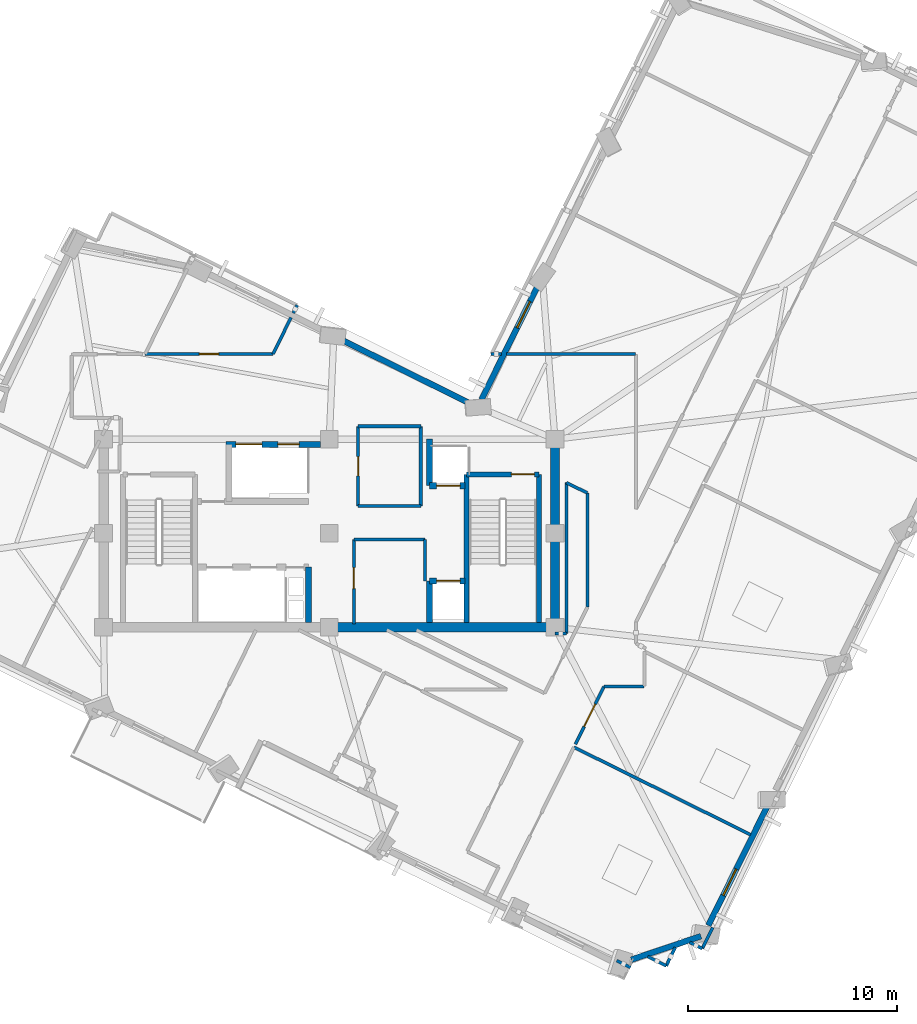
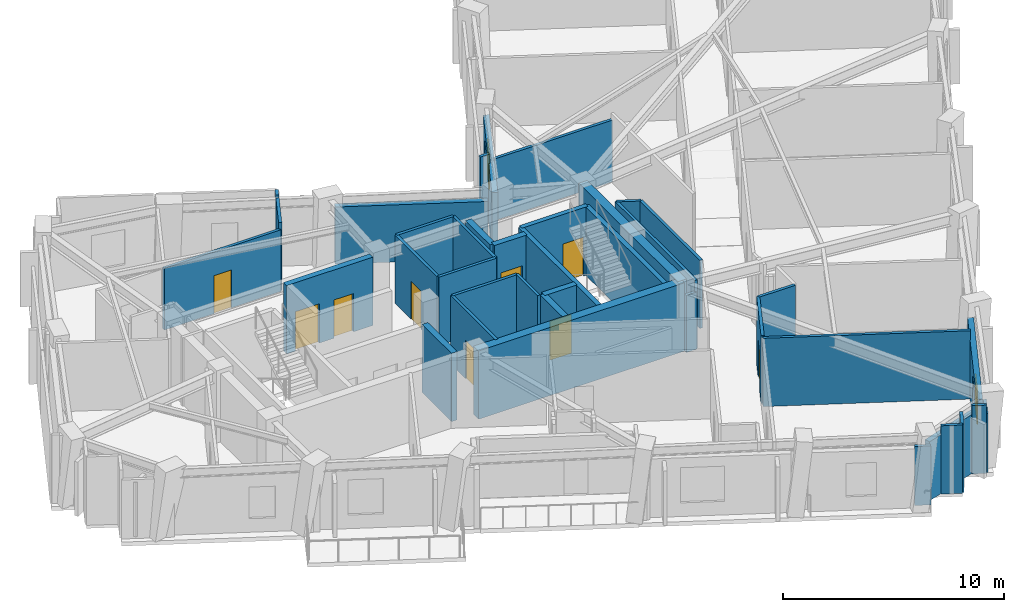
# One storey, part 5 of 11: 39 walls, 9 doors, 2 windows, 11 openings.
"""IFC4 building model written with IfcOpenShell, lengths in metres."""

from ifc_helpers import new_model, si_unit, direction, frame, frame_2d, origin, place, context, subcontext, project, spatial, rectangle, extrude, material, layer, layer_set, type_object, element, fill, save


model = new_model("IFC4")

# Units and contexts
model_context = context("Model", 3, precision=1e-05, world=origin(), true_north=direction((0.0, 1.0)))
body_context = subcontext(model_context, "Body", "Model", "MODEL_VIEW")
ifc_project = project(units=[si_unit("LENGTHUNIT", "METRE"), si_unit("AREAUNIT", "SQUARE_METRE"), si_unit("VOLUMEUNIT", "CUBIC_METRE"), si_unit("PLANEANGLEUNIT", "RADIAN"), si_unit("MASSUNIT", "GRAM", prefix="KILO")], contexts=[model_context])

# Site, building, storey
site_placement = place(None, origin())
site = spatial("IfcSite", under=ifc_project, at=site_placement, CompositionType="ELEMENT")
building_placement = place(site_placement, origin())
building = spatial("IfcBuilding", under=site, at=building_placement, Name="Gaonmaruhae Medical Tower", CompositionType="ELEMENT")
storey_placement = place(building_placement, frame((0.0, 0.0, 296.60009765625)))
storey = spatial("IfcBuildingStorey", under=building, at=storey_placement, Name="L71", CompositionType="ELEMENT", Elevation=296.60009765625)

# Walls
ifc_material_1 = material(Name="Concrete C50/60", Category="concrete")
ifc_layer_1 = layer(ifc_material_1, 0.449951171875)
ifc_layer_set_1 = layer_set([ifc_layer_1], Name="Concrete C50/60")
wall_type_1 = type_object("IfcWallType", Name="CW-450 Upper Core Shear Wall", PredefinedType="SHEAR", material=ifc_layer_set_1)
wall_1_placement = place(storey_placement, frame((24.800048828125, 7.800048828125, 0.0), z_axis=(0.0, 0.0, 1.0), x_axis=(1.0, 0.0, 0.0)))
element("IfcWall", 1, at=wall_1_placement, inside=storey, type_object=wall_type_1, Name="L71 Core Shear Wall CSW-S2", PredefinedType="SHEAR", context=body_context, shape_type="SweptSolid", body=[
    extrude(rectangle(XDim=10.800048828125, YDim=0.449951171875, at=frame_2d((5.39990234375, 0.0))), origin(), (0.0, 0.0, 1.0), 3.77978515625),
])
wall_2_placement = place(storey_placement, frame((35.60009765625, 7.800048828125, 0.0), z_axis=(0.0, 0.0, 1.0), x_axis=(0.0, 1.0, 0.0)))
element("IfcWall", 2, at=wall_2_placement, inside=storey, type_object=wall_type_1, Name="L71 Core Shear Wall CSW-E1", PredefinedType="SHEAR", context=body_context, shape_type="SweptSolid", body=[
    extrude(rectangle(XDim=9.0, YDim=0.449951171875, at=frame_2d((4.5, 0.0))), origin(), (0.0, 0.0, 1.0), 3.77978515625),
])

# Wall, opening, window
ifc_material_2 = material(Name="Precast concrete C45/55", Category="concrete")
ifc_layer_2 = layer(ifc_material_2, 0.280029296875)
ifc_layer_set_2 = layer_set([ifc_layer_2], Name="Precast concrete C45/55")
wall_type_2 = type_object("IfcWallType", Name="EW-280 Upper Precast Masonry-Frame Facade Wall", PredefinedType="SOLIDWALL", material=ifc_layer_set_2)
wall_3_placement = place(storey_placement, frame((45.8212890625, -0.655517578125, 0.0), z_axis=(0.0, 0.0, 1.0), x_axis=(-0.443852091484, -0.896100061871, 0.0)))
wall_3 = element("IfcWall", 3, at=wall_3_placement, inside=storey, type_object=wall_type_2, Name="L71 Precast Masonry-Frame Wall S01-S02", PredefinedType="SOLIDWALL", context=body_context, shape_type="SweptSolid", body=[
    extrude(rectangle(XDim=6.484619140625, YDim=0.280029296875, at=frame_2d((3.2421875, 0.0))), origin(), (0.0, 0.0, 1.0), 3.264892578125),
])
opening_1_placement = place(wall_3_placement, frame((3.4814453125, 0.0, 0.75)))
opening_1 = element("IfcOpeningElement", 4, at=opening_1_placement, cuts=wall_3, Name="Opening WN-03", PredefinedType="OPENING", context=body_context, shape_type="SweptSolid", body=[
    extrude(rectangle(XDim=1.39990234375, YDim=1.85009765625, at=frame_2d((0.699951171875, 0.925048828125))), frame((0.0, 0.14990234375, 0.0), z_axis=(0.0, -1.0, 0.0), x_axis=(1.0, 0.0, 0.0)), (0.0, 0.0, 1.0), 0.300048828125),
])
ifc_material_3 = material(Name="Anodised aluminium and Low-E double glazing", Category="aluminium")
window_type = type_object("IfcWindowType", Name="WN-03 Isolation Ward Punched Window 1400x1850", PartitioningType="SINGLE_PANEL", PredefinedType="WINDOW", material=ifc_material_3)
window_1_placement = place(opening_1_placement, origin())
window_1 = element("IfcWindow", 5, at=window_1_placement, inside=storey, type_object=window_type, Name="L71 Modular Facade Window S01", OverallHeight=1.85009765625, OverallWidth=1.39990234375, PartitioningType="SINGLE_PANEL", PredefinedType="WINDOW", context=body_context, shape_type="SweptSolid", body=[
    extrude(rectangle(XDim=1.39990234375, YDim=1.85009765625, at=frame_2d((0.699951171875, 0.925048828125))), frame((0.0, 0.030029296875, 0.0), z_axis=(0.0, -1.0, 0.0), x_axis=(1.0, 0.0, 0.0)), (0.0, 0.0, 1.0), 0.06005859375),
])
fill(opening_1, window_1)

wall_4_placement = place(storey_placement, frame((32.08251953125, 18.694580078125, 0.0), z_axis=(0.0, 0.0, 1.0), x_axis=(0.443864435555, 0.896093947558, 0.0)))
wall_4 = element("IfcWall", 6, at=wall_4_placement, inside=storey, type_object=wall_type_2, Name="L71 Precast Masonry-Frame Wall EN02-KN01", PredefinedType="SOLIDWALL", context=body_context, shape_type="SweptSolid", body=[
    extrude(rectangle(XDim=6.158203125, YDim=0.280029296875, at=frame_2d((3.0791015625, 0.0))), origin(), (0.0, 0.0, 1.0), 3.264892578125),
])
opening_2_placement = place(wall_4_placement, frame((3.839599609375, 0.0, 0.75)))
opening_2 = element("IfcOpeningElement", 7, at=opening_2_placement, cuts=wall_4, Name="Opening WN-03", PredefinedType="OPENING", context=body_context, shape_type="SweptSolid", body=[
    extrude(rectangle(XDim=1.39990234375, YDim=1.85009765625, at=frame_2d((0.699951171875, 0.925048828125))), frame((0.0, 0.14990234375, 0.0), z_axis=(0.0, -1.0, 0.0), x_axis=(1.0, 0.0, 0.0)), (0.0, 0.0, 1.0), 0.300048828125),
])
window_2_placement = place(opening_2_placement, origin())
window_2 = element("IfcWindow", 8, at=window_2_placement, inside=storey, type_object=window_type, Name="L71 Modular Facade Window EN02", OverallHeight=1.85009765625, OverallWidth=1.39990234375, PartitioningType="SINGLE_PANEL", PredefinedType="WINDOW", context=body_context, shape_type="SweptSolid", body=[
    extrude(rectangle(XDim=1.39990234375, YDim=1.85009765625, at=frame_2d((0.699951171875, 0.925048828125))), frame((0.0, 0.030029296875, 0.0), z_axis=(0.0, -1.0, 0.0), x_axis=(1.0, 0.0, 0.0)), (0.0, 0.0, 1.0), 0.06005859375),
])
fill(opening_2, window_2)

# Walls
wall_5_placement = place(storey_placement, frame((25.35986328125, 21.572021484375, 0.0), z_axis=(0.0, 0.0, 1.0), x_axis=(0.896098080612, -0.443856091458, 0.0)))
element("IfcWall", 9, at=wall_5_placement, inside=storey, type_object=wall_type_2, Name="L71 Precast Masonry-Frame Wall KN01-NE01", PredefinedType="SOLIDWALL", context=body_context, shape_type="SweptSolid", body=[
    extrude(rectangle(XDim=6.9580078125, YDim=0.280029296875, at=frame_2d((3.47900390625, 0.0))), origin(), (0.0, 0.0, 1.0), 3.164794921875),
])
wall_6_placement = place(storey_placement, frame((42.5908203125, -6.980224609375, 0.0), z_axis=(0.0, 0.0, 1.0), x_axis=(-0.947483874794, -0.31980354439, 0.0)))
element("IfcWall", 10, at=wall_6_placement, inside=storey, type_object=wall_type_2, Name="L71 Precast Masonry-Frame Wall W06-S01", PredefinedType="SOLIDWALL", context=body_context, shape_type="SweptSolid", body=[
    extrude(rectangle(XDim=3.520751953125, YDim=0.280029296875, at=frame_2d((1.76025390625, 0.0))), origin(), (0.0, 0.0, 1.0), 3.264892578125),
])

# Wall, opening, door
ifc_material_4 = material(Name="Gypsum board partition", Category="gypsum")
ifc_layer_3 = layer(ifc_material_4, 0.14990234375)
ifc_layer_set_3 = layer_set([ifc_layer_3], Name="Gypsum board partition")
wall_type_3 = type_object("IfcWallType", Name="PW-150 Rated Clinical Corridor Partition", PredefinedType="PARTITIONING", material=ifc_layer_set_3)
wall_7_placement = place(storey_placement, frame((25.97998046875, 7.9599609375, 0.0), z_axis=(0.0, 0.0, 1.0), x_axis=(0.0, 1.0, 0.0)))
wall_7 = element("IfcWall", 11, at=wall_7_placement, inside=storey, type_object=wall_type_3, Name="L71 Interior Partition L71-RCL1-1", PredefinedType="PARTITIONING", context=body_context, shape_type="SweptSolid", body=[
    extrude(rectangle(XDim=4.0400390625, YDim=0.14990234375, at=frame_2d((2.02001953125, 0.0))), origin(), (0.0, 0.0, 1.0), 3.77978515625),
])
opening_3_placement = place(wall_7_placement, frame((1.695068359375, 0.0, 0.0)))
opening_3 = element("IfcOpeningElement", 12, at=opening_3_placement, cuts=wall_7, Name="Opening CD-01", PredefinedType="OPENING", context=body_context, shape_type="SweptSolid", body=[
    extrude(rectangle(XDim=1.0, YDim=2.1201171875, at=frame_2d((0.5, 1.06005859375))), frame((0.0, 0.0849609375, 0.0), z_axis=(0.0, -1.0, 0.0), x_axis=(1.0, 0.0, 0.0)), (0.0, 0.0, 1.0), 0.169921875),
])
ifc_material_5 = material(Name="Antimicrobial laminate timber fire door", Category="wood")
door_type_1 = type_object("IfcDoorType", Name="CD-01 Consultation & Physician Office Door 1000x2120", OperationType="NOTDEFINED", PredefinedType="DOOR", material=ifc_material_5)
door_1_placement = place(opening_3_placement, origin())
door_1 = element("IfcDoor", 13, at=door_1_placement, inside=storey, type_object=door_type_1, Name="L71 Clinical Telemetry and Medication Room Door", OperationType="SINGLE_SWING_RIGHT", OverallHeight=2.1201171875, OverallWidth=1.0, PredefinedType="DOOR", context=body_context, shape_type="SweptSolid", body=[
    extrude(rectangle(XDim=1.0, YDim=2.1201171875, at=frame_2d((0.5, 1.06005859375))), frame((0.0, 0.02490234375, 0.0), z_axis=(0.0, -1.0, 0.0), x_axis=(1.0, 0.0, 0.0)), (0.0, 0.0, 1.0), 0.050048828125),
])
fill(opening_3, door_1)

# Walls
wall_8_placement = place(storey_placement, frame((25.97998046875, 12.0, 0.0), z_axis=(0.0, 0.0, 1.0), x_axis=(1.0, 0.0, 0.0)))
element("IfcWall", 14, at=wall_8_placement, inside=storey, type_object=wall_type_3, Name="L71 Interior Partition L71-RCL1-2", PredefinedType="PARTITIONING", context=body_context, shape_type="SweptSolid", body=[
    extrude(rectangle(XDim=3.39990234375, YDim=0.14990234375, at=frame_2d((1.699951171875, 0.0))), origin(), (0.0, 0.0, 1.0), 3.77978515625),
])
wall_9_placement = place(storey_placement, frame((29.3798828125, 12.0, 0.0), z_axis=(0.0, 0.0, 1.0), x_axis=(0.0, -1.0, 0.0)))
element("IfcWall", 15, at=wall_9_placement, inside=storey, type_object=wall_type_3, Name="L71 Interior Partition L71-RCL1-3", PredefinedType="PARTITIONING", context=body_context, shape_type="SweptSolid", body=[
    extrude(rectangle(XDim=1.97998046875, YDim=0.14990234375, at=frame_2d((0.989990234375, 0.0))), origin(), (0.0, 0.0, 1.0), 3.77978515625),
])

# Wall, opening, door
wall_10_placement = place(storey_placement, frame((26.179931640625, 13.60009765625, 0.0), z_axis=(0.0, 0.0, 1.0), x_axis=(0.0, 1.0, 0.0)))
wall_10 = element("IfcWall", 16, at=wall_10_placement, inside=storey, type_object=wall_type_3, Name="L71 Interior Partition L71-RCL2-4", PredefinedType="PARTITIONING", context=body_context, shape_type="SweptSolid", body=[
    extrude(rectangle(XDim=3.81982421875, YDim=0.14990234375, at=frame_2d((1.909912109375, 0.0))), origin(), (0.0, 0.0, 1.0), 3.77978515625),
])
opening_4_placement = place(wall_10_placement, frame((1.449951171875, 0.0, 0.0)))
opening_4 = element("IfcOpeningElement", 17, at=opening_4_placement, cuts=wall_10, Name="Opening UD-01", PredefinedType="OPENING", context=body_context, shape_type="SweptSolid", body=[
    extrude(rectangle(XDim=0.919921875, YDim=2.10009765625, at=frame_2d((0.4599609375, 1.050048828125))), frame((0.0, 0.0849609375, 0.0), z_axis=(0.0, -1.0, 0.0), x_axis=(1.0, 0.0, 0.0)), (0.0, 0.0, 1.0), 0.169921875),
])
ifc_material_6 = material(Name="Powder-coated steel utility door", Category="steel")
door_type_2 = type_object("IfcDoorType", Name="UD-01 Toilet, Utility & Housekeeping Door 920x2100", OperationType="NOTDEFINED", PredefinedType="DOOR", material=ifc_material_6)
door_2_placement = place(opening_4_placement, origin())
door_2 = element("IfcDoor", 18, at=door_2_placement, inside=storey, type_object=door_type_2, Name="L71 Accessible Staff Toilet Door", OperationType="SINGLE_SWING_LEFT", OverallHeight=2.10009765625, OverallWidth=0.919921875, PredefinedType="DOOR", context=body_context, shape_type="SweptSolid", body=[
    extrude(rectangle(XDim=0.919921875, YDim=2.10009765625, at=frame_2d((0.4599609375, 1.050048828125))), frame((0.0, 0.02490234375, 0.0), z_axis=(0.0, -1.0, 0.0), x_axis=(1.0, 0.0, 0.0)), (0.0, 0.0, 1.0), 0.050048828125),
])
fill(opening_4, door_2)

# Walls
wall_11_placement = place(storey_placement, frame((26.179931640625, 17.419921875, 0.0), z_axis=(0.0, 0.0, 1.0), x_axis=(1.0, 0.0, 0.0)))
element("IfcWall", 19, at=wall_11_placement, inside=storey, type_object=wall_type_3, Name="L71 Interior Partition L71-RCL2-5", PredefinedType="PARTITIONING", context=body_context, shape_type="SweptSolid", body=[
    extrude(rectangle(XDim=3.0, YDim=0.14990234375, at=frame_2d((1.5, 0.0))), origin(), (0.0, 0.0, 1.0), 3.77978515625),
])
wall_12_placement = place(storey_placement, frame((29.179931640625, 17.419921875, 0.0), z_axis=(0.0, 0.0, 1.0), x_axis=(0.0, -1.0, 0.0)))
element("IfcWall", 20, at=wall_12_placement, inside=storey, type_object=wall_type_3, Name="L71 Interior Partition L71-RCL2-6", PredefinedType="PARTITIONING", context=body_context, shape_type="SweptSolid", body=[
    extrude(rectangle(XDim=3.81982421875, YDim=0.14990234375, at=frame_2d((1.909912109375, 0.0))), origin(), (0.0, 0.0, 1.0), 3.77978515625),
])
wall_13_placement = place(storey_placement, frame((29.179931640625, 13.60009765625, 0.0), z_axis=(0.0, 0.0, 1.0), x_axis=(-1.0, 0.0, 0.0)))
element("IfcWall", 21, at=wall_13_placement, inside=storey, type_object=wall_type_3, Name="L71 Interior Partition L71-RCL2-7", PredefinedType="PARTITIONING", context=body_context, shape_type="SweptSolid", body=[
    extrude(rectangle(XDim=3.0, YDim=0.14990234375, at=frame_2d((1.5, 0.0))), origin(), (0.0, 0.0, 1.0), 3.77978515625),
])
wall_14_placement = place(storey_placement, frame((40.925048828125, -8.40087890625, 0.0), z_axis=(0.0, 0.0, 1.0), x_axis=(-0.895855966425, 0.444344559347, 0.0)))
element("IfcWall", 22, at=wall_14_placement, inside=storey, type_object=wall_type_3, Name="L71 Interior Partition L71-SUP01-8", PredefinedType="PARTITIONING", context=body_context, shape_type="SweptSolid", body=[
    extrude(rectangle(XDim=0.98779296875, YDim=0.14990234375, at=frame_2d((0.493896484375, 0.0))), origin(), (0.0, 0.0, 1.0), 3.77978515625),
])
wall_15_placement = place(storey_placement, frame((39.214111328125, -8.47412109375, 0.0), z_axis=(0.0, 0.0, 1.0), x_axis=(-0.896012088041, 0.444029659014, 0.0)))
element("IfcWall", 23, at=wall_15_placement, inside=storey, type_object=wall_type_3, Name="L71 Interior Partition L71-SUP01-9", PredefinedType="PARTITIONING", context=body_context, shape_type="SweptSolid", body=[
    extrude(rectangle(XDim=0.73681640625, YDim=0.14990234375, at=frame_2d((0.368408203125, 0.0))), origin(), (0.0, 0.0, 1.0), 3.264892578125),
])
wall_16_placement = place(storey_placement, frame((36.510009765625, 2.06103515625, 0.0), z_axis=(0.0, 0.0, 1.0), x_axis=(0.896077201475, -0.443898241715, 0.0)))
element("IfcWall", 24, at=wall_16_placement, inside=storey, type_object=wall_type_3, Name="L71 Interior Partition L71-SUP01-12", PredefinedType="PARTITIONING", context=body_context, shape_type="SweptSolid", body=[
    extrude(rectangle(XDim=9.4345703125, YDim=0.14990234375, at=frame_2d((4.71728515625, 0.0))), origin(), (0.0, 0.0, 1.0), 3.77978515625),
])
wall_17_placement = place(storey_placement, frame((43.14892578125, -6.568115234375, 0.0), z_axis=(0.0, 0.0, 1.0), x_axis=(-0.443664226759, -0.896193089627, 0.0)))
element("IfcWall", 25, at=wall_17_placement, inside=storey, type_object=wall_type_3, Name="L71 Interior Partition L71-SUP01-13", PredefinedType="PARTITIONING", context=body_context, shape_type="SweptSolid", body=[
    extrude(rectangle(XDim=1.129150390625, YDim=0.14990234375, at=frame_2d((0.564453125, 0.0))), origin(), (0.0, 0.0, 1.0), 3.264892578125),
])
wall_18_placement = place(storey_placement, frame((42.64794921875, -7.580078125, 0.0), z_axis=(0.0, 0.0, 1.0), x_axis=(-0.896104024107, 0.443844091973, 0.0)))
element("IfcWall", 26, at=wall_18_placement, inside=storey, type_object=wall_type_3, Name="L71 Interior Partition L71-SUP01-14", PredefinedType="PARTITIONING", context=body_context, shape_type="SweptSolid", body=[
    extrude(rectangle(XDim=0.667236328125, YDim=0.14990234375, at=frame_2d((0.33349609375, 0.0))), origin(), (0.0, 0.0, 1.0), 3.77978515625),
])
wall_19_placement = place(storey_placement, frame((41.364013671875, -7.51611328125, 0.0), z_axis=(0.0, 0.0, 1.0), x_axis=(-0.444442954241, -0.895807155824, 0.0)))
element("IfcWall", 27, at=wall_19_placement, inside=storey, type_object=wall_type_3, Name="L71 Interior Partition L71-SUP01-15", PredefinedType="PARTITIONING", context=body_context, shape_type="SweptSolid", body=[
    extrude(rectangle(XDim=0.98779296875, YDim=0.14990234375, at=frame_2d((0.493896484375, 0.0))), origin(), (0.0, 0.0, 1.0), 3.77978515625),
])

# Wall, opening, door
wall_20_placement = place(storey_placement, frame((36.5810546875, 2.2041015625, 0.0), z_axis=(0.0, 0.0, 1.0), x_axis=(0.443570825346, 0.896239322336, 0.0)))
wall_20 = element("IfcWall", 28, at=wall_20_placement, inside=storey, type_object=wall_type_3, Name="L71 Interior Partition L71-SUP02-19", PredefinedType="PARTITIONING", context=body_context, shape_type="SweptSolid", body=[
    extrude(rectangle(XDim=3.086181640625, YDim=0.14990234375, at=frame_2d((1.54296875, 0.0))), origin(), (0.0, 0.0, 1.0), 3.77978515625),
])
opening_5_placement = place(wall_20_placement, frame((0.943115234375, 0.0, 0.0)))
opening_5 = element("IfcOpeningElement", 29, at=opening_5_placement, cuts=wall_20, Name="Opening CD-02", PredefinedType="OPENING", context=body_context, shape_type="SweptSolid", body=[
    extrude(rectangle(XDim=1.199951171875, YDim=2.14990234375, at=frame_2d((0.60009765625, 1.074951171875))), frame((0.0, 0.0849609375, 0.0), z_axis=(0.0, -1.0, 0.0), x_axis=(1.0, 0.0, 0.0)), (0.0, 0.0, 1.0), 0.169921875),
])
door_type_3 = type_object("IfcDoorType", Name="CD-02 Clinical Treatment & Procedure Door 1200x2150", OperationType="NOTDEFINED", PredefinedType="DOOR", material=ifc_material_5)
door_3_placement = place(opening_5_placement, origin())
door_3 = element("IfcDoor", 30, at=door_3_placement, inside=storey, type_object=door_type_3, Name="L71 Clinical Biomedical Charting Office Door", OperationType="SINGLE_SWING_RIGHT", OverallHeight=2.14990234375, OverallWidth=1.199951171875, PredefinedType="DOOR", context=body_context, shape_type="SweptSolid", body=[
    extrude(rectangle(XDim=1.199951171875, YDim=2.14990234375, at=frame_2d((0.60009765625, 1.074951171875))), frame((0.0, 0.02490234375, 0.0), z_axis=(0.0, -1.0, 0.0), x_axis=(1.0, 0.0, 0.0)), (0.0, 0.0, 1.0), 0.050048828125),
])
fill(opening_5, door_3)

# Walls
wall_21_placement = place(storey_placement, frame((37.949951171875, 4.969970703125, 0.0), z_axis=(0.0, 0.0, 1.0), x_axis=(1.0, 0.0, 0.0)))
element("IfcWall", 31, at=wall_21_placement, inside=storey, type_object=wall_type_3, Name="L71 Interior Partition L71-SUP02-20", PredefinedType="PARTITIONING", context=body_context, shape_type="SweptSolid", body=[
    extrude(rectangle(XDim=1.903076171875, YDim=0.14990234375, at=frame_2d((0.95166015625, 0.0))), origin(), (0.0, 0.0, 1.0), 3.77978515625),
])
wall_22_placement = place(storey_placement, frame((35.60009765625, 7.5, 0.0), z_axis=(0.0, 0.0, 1.0), x_axis=(1.0, 0.0, 0.0)))
element("IfcWall", 32, at=wall_22_placement, inside=storey, type_object=wall_type_3, Name="L71 Interior Partition L71-IE01-58", PredefinedType="PARTITIONING", context=body_context, shape_type="SweptSolid", body=[
    extrude(rectangle(XDim=0.5498046875, YDim=0.14990234375, at=frame_2d((0.27490234375, 0.0))), origin(), (0.0, 0.0, 1.0), 3.164794921875),
])
wall_23_placement = place(storey_placement, frame((36.14990234375, 7.5, 0.0), z_axis=(0.0, 0.0, 1.0), x_axis=(0.0, 1.0, 0.0)))
element("IfcWall", 33, at=wall_23_placement, inside=storey, type_object=wall_type_3, Name="L71 Interior Partition L71-IE01-59", PredefinedType="PARTITIONING", context=body_context, shape_type="SweptSolid", body=[
    extrude(rectangle(XDim=7.221923828125, YDim=0.14990234375, at=frame_2d((3.61083984375, 0.0))), origin(), (0.0, 0.0, 1.0), 3.77978515625),
])
wall_24_placement = place(storey_placement, frame((36.14990234375, 14.721923828125, 0.0), z_axis=(0.0, 0.0, 1.0), x_axis=(0.896257665166, -0.443533761546, 0.0)))
element("IfcWall", 34, at=wall_24_placement, inside=storey, type_object=wall_type_3, Name="L71 Interior Partition L71-IE01-60", PredefinedType="PARTITIONING", context=body_context, shape_type="SweptSolid", body=[
    extrude(rectangle(XDim=1.11572265625, YDim=0.14990234375, at=frame_2d((0.557861328125, 0.0))), origin(), (0.0, 0.0, 1.0), 3.77978515625),
])
wall_25_placement = place(storey_placement, frame((37.14990234375, 14.22705078125, 0.0), z_axis=(0.0, 0.0, 1.0), x_axis=(0.0, -1.0, 0.0)))
element("IfcWall", 35, at=wall_25_placement, inside=storey, type_object=wall_type_3, Name="L71 Interior Partition L71-IE01-61", PredefinedType="PARTITIONING", context=body_context, shape_type="SweptSolid", body=[
    extrude(rectangle(XDim=5.466064453125, YDim=0.14990234375, at=frame_2d((2.73291015625, 0.0))), origin(), (0.0, 0.0, 1.0), 3.77978515625),
])
wall_26_placement = place(storey_placement, frame((39.449951171875, 20.8798828125, 0.0), z_axis=(0.0, 0.0, 1.0), x_axis=(-1.0, 0.0, 0.0)))
element("IfcWall", 36, at=wall_26_placement, inside=storey, type_object=wall_type_3, Name="L71 Interior Partition L71-IE02-64", PredefinedType="PARTITIONING", context=body_context, shape_type="SweptSolid", body=[
    extrude(rectangle(XDim=6.156982421875, YDim=0.14990234375, at=frame_2d((3.07861328125, 0.0))), origin(), (0.0, 0.0, 1.0), 3.414794921875),
])
wall_27_placement = place(storey_placement, frame((33.037109375, 20.8798828125, 0.0), z_axis=(0.0, 0.0, 1.0), x_axis=(-1.0, 0.0, 0.0)))
element("IfcWall", 37, at=wall_27_placement, inside=storey, type_object=wall_type_3, Name="L71 Interior Partition L71-IE02-65", PredefinedType="PARTITIONING", context=body_context, shape_type="SweptSolid", body=[
    extrude(rectangle(XDim=0.486083984375, YDim=0.14990234375, at=frame_2d((0.2431640625, 0.0))), origin(), (0.0, 0.0, 1.0), 3.77978515625),
])
wall_28_placement = place(storey_placement, frame((23.26611328125, 23.222900390625, 0.0), z_axis=(0.0, 0.0, 1.0), x_axis=(-0.443843724004, -0.896104206364, 0.0)))
element("IfcWall", 38, at=wall_28_placement, inside=storey, type_object=wall_type_3, Name="L71 Interior Partition L71-IN02-83", PredefinedType="PARTITIONING", context=body_context, shape_type="SweptSolid", body=[
    extrude(rectangle(XDim=0.43505859375, YDim=0.14990234375, at=frame_2d((0.217529296875, 0.0))), origin(), (0.0, 0.0, 1.0), 3.77978515625),
])
wall_29_placement = place(storey_placement, frame((22.970947265625, 22.626953125, 0.0), z_axis=(0.0, 0.0, 1.0), x_axis=(-0.443703610253, -0.896173591582, 0.0)))
element("IfcWall", 39, at=wall_29_placement, inside=storey, type_object=wall_type_3, Name="L71 Interior Partition L71-IN02-84", PredefinedType="PARTITIONING", context=body_context, shape_type="SweptSolid", body=[
    extrude(rectangle(XDim=1.949462890625, YDim=0.14990234375, at=frame_2d((0.974609375, 0.0))), origin(), (0.0, 0.0, 1.0), 3.77978515625),
])

# Wall, opening, door
wall_30_placement = place(storey_placement, frame((22.10595703125, 20.8798828125, 0.0), z_axis=(0.0, 0.0, 1.0), x_axis=(-1.0, 0.0, 0.0)))
wall_30 = element("IfcWall", 40, at=wall_30_placement, inside=storey, type_object=wall_type_3, Name="L71 Interior Partition L71-IN02-85", PredefinedType="PARTITIONING", context=body_context, shape_type="SweptSolid", body=[
    extrude(rectangle(XDim=6.115966796875, YDim=0.14990234375, at=frame_2d((3.05810546875, 0.0))), origin(), (0.0, 0.0, 1.0), 3.414794921875),
])
opening_6_placement = place(wall_30_placement, frame((2.597900390625, 0.0, 0.0)))
opening_6 = element("IfcOpeningElement", 41, at=opening_6_placement, cuts=wall_30, Name="Opening UD-01", PredefinedType="OPENING", context=body_context, shape_type="SweptSolid", body=[
    extrude(rectangle(XDim=0.919921875, YDim=2.10009765625, at=frame_2d((0.4599609375, 1.050048828125))), frame((0.0, 0.0849609375, 0.0), z_axis=(0.0, -1.0, 0.0), x_axis=(1.0, 0.0, 0.0)), (0.0, 0.0, 1.0), 0.169921875),
])
door_4_placement = place(opening_6_placement, origin())
door_4 = element("IfcDoor", 42, at=door_4_placement, inside=storey, type_object=door_type_2, Name="L71 Ward Nutrition Pantry Door", OperationType="SINGLE_SWING_RIGHT", OverallHeight=2.10009765625, OverallWidth=0.919921875, PredefinedType="DOOR", context=body_context, shape_type="SweptSolid", body=[
    extrude(rectangle(XDim=0.919921875, YDim=2.10009765625, at=frame_2d((0.4599609375, 1.050048828125))), frame((0.0, 0.02490234375, 0.0), z_axis=(0.0, -1.0, 0.0), x_axis=(1.0, 0.0, 0.0)), (0.0, 0.0, 1.0), 0.050048828125),
])
fill(opening_6, door_4)

ifc_layer_4 = layer(ifc_material_1, 0.239990234375)
ifc_layer_set_4 = layer_set([ifc_layer_4], Name="Concrete C50/60")
wall_type_4 = type_object("IfcWallType", Name="SW-240 Dogleg Stair Tight Shaft Wall", PredefinedType="SOLIDWALL", material=ifc_layer_set_4)
wall_31_placement = place(storey_placement, frame((31.3701171875, 15.1201171875, 0.0), z_axis=(0.0, 0.0, 1.0), x_axis=(1.0, 0.0, 0.0)))
wall_31 = element("IfcWall", 43, at=wall_31_placement, inside=storey, type_object=wall_type_4, Name="L71 ST-02 Stair Shaft Wall SHW-ST-02-N", PredefinedType="SOLIDWALL", context=body_context, shape_type="SweptSolid", body=[
    extrude(rectangle(XDim=3.4599609375, YDim=0.239990234375, at=frame_2d((1.72998046875, 0.0))), origin(), (0.0, 0.0, 1.0), 3.77978515625),
])
opening_7_placement = place(wall_31_placement, frame((2.139892578125, 0.0, 0.0)))
opening_7 = element("IfcOpeningElement", 44, at=opening_7_placement, cuts=wall_31, Name="Opening FD-01", PredefinedType="OPENING", context=body_context, shape_type="SweptSolid", body=[
    extrude(rectangle(XDim=1.10009765625, YDim=2.14990234375, at=frame_2d((0.550048828125, 1.074951171875))), frame((0.0, 0.1298828125, 0.0), z_axis=(0.0, -1.0, 0.0), x_axis=(1.0, 0.0, 0.0)), (0.0, 0.0, 1.0), 0.260009765625),
])
ifc_material_7 = material(Name="Powder-coated steel fire door", Category="steel")
door_type_4 = type_object("IfcDoorType", Name="FD-01 Escape Stair Protected Fire Door 1100x2150", OperationType="NOTDEFINED", PredefinedType="DOOR", material=ifc_material_7)
door_5_placement = place(opening_7_placement, origin())
door_5 = element("IfcDoor", 45, at=door_5_placement, inside=storey, type_object=door_type_4, Name="L71 ST-02 Protected Escape Stair Door", OperationType="SINGLE_SWING_LEFT", OverallHeight=2.14990234375, OverallWidth=1.10009765625, PredefinedType="DOOR", context=body_context, shape_type="SweptSolid", body=[
    extrude(rectangle(XDim=1.10009765625, YDim=2.14990234375, at=frame_2d((0.550048828125, 1.074951171875))), frame((0.0, 0.02490234375, 0.0), z_axis=(0.0, -1.0, 0.0), x_axis=(1.0, 0.0, 0.0)), (0.0, 0.0, 1.0), 0.050048828125),
])
fill(opening_7, door_5)

# Walls
for number, where, z_axis, x_axis, name in (
    (46, (34.830078125, 15.1201171875, 0.0), (0.0, 0.0, 1.0), (0.0, -1.0, 0.0), "L71 ST-02 Stair Shaft Wall SHW-ST-02-E"),
    (47, (31.3701171875, 8.02490234375, 0.0), (0.0, 0.0, 1.0), (0.0, 1.0, 0.0), "L71 ST-02 Stair Shaft Wall SHW-ST-02-W"),
):
    element("IfcWall", number, at=place(storey_placement, frame(where, z_axis=z_axis, x_axis=x_axis)), inside=storey, type_object=wall_type_4, Name=name, PredefinedType="SOLIDWALL", context=body_context, shape_type="SweptSolid", body=[
        extrude(rectangle(XDim=7.09521484375, YDim=0.239990234375, at=frame_2d((3.547607421875, 0.0))), origin(), (0.0, 0.0, 1.0), 3.77978515625),
    ])

# Wall, openings, doors
ifc_layer_5 = layer(ifc_material_1, 0.300048828125)
ifc_layer_set_5 = layer_set([ifc_layer_5], Name="Concrete C50/60")
wall_type_5 = type_object("IfcWallType", Name="SW-300 Stair & Lift Hoistway Shaft Wall", PredefinedType="SOLIDWALL", material=ifc_layer_set_5)
wall_32_placement = place(storey_placement, frame((19.85009765625, 16.550048828125, 0.0), z_axis=(0.0, 0.0, 1.0), x_axis=(1.0, 0.0, 0.0)))
wall_32 = element("IfcWall", 48, at=wall_32_placement, inside=storey, type_object=wall_type_5, Name="L71 Core Shear Wall CSW-NB", PredefinedType="SOLIDWALL", context=body_context, shape_type="SweptSolid", body=[
    extrude(rectangle(XDim=4.52490234375, YDim=0.300048828125, at=frame_2d((2.262451171875, 0.0))), origin(), (0.0, 0.0, 1.0), 3.77978515625),
])
opening_8_placement = place(wall_32_placement, frame((0.47509765625, 0.0, 0.0)))
opening_8 = element("IfcOpeningElement", 49, at=opening_8_placement, cuts=wall_32, Name="Opening LD-F1", PredefinedType="OPENING", context=body_context, shape_type="SweptSolid", body=[
    extrude(rectangle(XDim=1.25, YDim=2.179931640625, at=frame_2d((0.625, 1.08984375))), frame((0.0, 0.16015625, 0.0), z_axis=(0.0, -1.0, 0.0), x_axis=(1.0, 0.0, 0.0)), (0.0, 0.0, 1.0), 0.320068359375),
])
opening_9_placement = place(wall_32_placement, frame((2.489990234375, 0.0, 0.0)))
opening_9 = element("IfcOpeningElement", 50, at=opening_9_placement, cuts=wall_32, Name="Opening LD-S1", PredefinedType="OPENING", context=body_context, shape_type="SweptSolid", body=[
    extrude(rectangle(XDim=1.02001953125, YDim=2.1201171875, at=frame_2d((0.510009765625, 1.06005859375))), frame((0.0, 0.16015625, 0.0), z_axis=(0.0, -1.0, 0.0), x_axis=(1.0, 0.0, 0.0)), (0.0, 0.0, 1.0), 0.320068359375),
])
ifc_material_8 = material(Name="Brushed stainless steel 316L landing door", Category="steel")
door_type_5 = type_object("IfcDoorType", Name="LD-F1 Firefighting & Bed Lift Sliding Landing Door 1250x2180", OperationType="NOTDEFINED", PredefinedType="DOOR", material=ifc_material_8)
door_6_placement = place(opening_8_placement, origin())
door_6 = element("IfcDoor", 51, at=door_6_placement, inside=storey, type_object=door_type_5, Name="L71 Service/Bed Lift Landing Door BDL-01", OperationType="DOUBLE_DOOR_SLIDING", OverallHeight=2.179931640625, OverallWidth=1.25, PredefinedType="DOOR", context=body_context, shape_type="SweptSolid", body=[
    extrude(rectangle(XDim=1.25, YDim=2.179931640625, at=frame_2d((0.625, 1.08984375))), frame((0.0, 0.02490234375, 0.0), z_axis=(0.0, -1.0, 0.0), x_axis=(1.0, 0.0, 0.0)), (0.0, 0.0, 1.0), 0.050048828125),
])
fill(opening_8, door_6)
ifc_material_9 = material(Name="Brushed stainless steel 304 landing door", Category="steel")
door_type_6 = type_object("IfcDoorType", Name="LD-S1 Service Lift Sliding Landing Door 1020x2120", OperationType="NOTDEFINED", PredefinedType="DOOR", material=ifc_material_9)
door_7_placement = place(opening_9_placement, origin())
door_7 = element("IfcDoor", 52, at=door_7_placement, inside=storey, type_object=door_type_6, Name="L71 Service/Bed Lift Landing Door SVL-01", OperationType="SLIDING_TO_LEFT", OverallHeight=2.1201171875, OverallWidth=1.02001953125, PredefinedType="DOOR", context=body_context, shape_type="SweptSolid", body=[
    extrude(rectangle(XDim=1.02001953125, YDim=2.1201171875, at=frame_2d((0.510009765625, 1.06005859375))), frame((0.0, 0.02490234375, 0.0), z_axis=(0.0, -1.0, 0.0), x_axis=(1.0, 0.0, 0.0)), (0.0, 0.0, 1.0), 0.050048828125),
])
fill(opening_9, door_7)

# Wall
wall_33_placement = place(storey_placement, frame((23.800048828125, 8.02490234375, 0.0), z_axis=(0.0, 0.0, 1.0), x_axis=(0.0, 1.0, 0.0)))
element("IfcWall", 53, at=wall_33_placement, inside=storey, type_object=wall_type_5, Name="L71 Shaft Enclosure Wall SHW-FFE", PredefinedType="SOLIDWALL", context=body_context, shape_type="SweptSolid", body=[
    extrude(rectangle(XDim=2.655029296875, YDim=0.300048828125, at=frame_2d((1.32763671875, 0.0))), origin(), (0.0, 0.0, 1.0), 3.77978515625),
])

# Wall, opening, door
wall_34_placement = place(storey_placement, frame((29.60009765625, 10.02001953125, 0.0), z_axis=(0.0, 0.0, 1.0), x_axis=(1.0, 0.0, 0.0)))
wall_34 = element("IfcWall", 54, at=wall_34_placement, inside=storey, type_object=wall_type_5, Name="L71 Shaft Enclosure Wall SHW-PLS", PredefinedType="SOLIDWALL", context=body_context, shape_type="SweptSolid", body=[
    extrude(rectangle(XDim=1.699951171875, YDim=0.300048828125, at=frame_2d((0.85009765625, 0.0))), origin(), (0.0, 0.0, 1.0), 3.77978515625),
])
opening_10_placement = place(wall_34_placement, frame((0.340087890625, 0.0, 0.0)))
opening_10 = element("IfcOpeningElement", 55, at=opening_10_placement, cuts=wall_34, Name="Opening LD-P1", PredefinedType="OPENING", context=body_context, shape_type="SweptSolid", body=[
    extrude(rectangle(XDim=1.1201171875, YDim=2.14990234375, at=frame_2d((0.56005859375, 1.074951171875))), frame((0.0, 0.16015625, 0.0), z_axis=(0.0, -1.0, 0.0), x_axis=(1.0, 0.0, 0.0)), (0.0, 0.0, 1.0), 0.320068359375),
])
door_type_7 = type_object("IfcDoorType", Name="LD-P1 Passenger Lift Sliding Landing Door 1120x2150", OperationType="NOTDEFINED", PredefinedType="DOOR", material=ifc_material_9)
door_8_placement = place(opening_10_placement, origin())
door_8 = element("IfcDoor", 56, at=door_8_placement, inside=storey, type_object=door_type_7, Name="L71 Passenger Lift Landing Door PL-H1", OperationType="DOUBLE_DOOR_SLIDING", OverallHeight=2.14990234375, OverallWidth=1.1201171875, PredefinedType="DOOR", context=body_context, shape_type="SweptSolid", body=[
    extrude(rectangle(XDim=1.1201171875, YDim=2.14990234375, at=frame_2d((0.56005859375, 1.074951171875))), frame((0.0, 0.02490234375, 0.0), z_axis=(0.0, -1.0, 0.0), x_axis=(1.0, 0.0, 0.0)), (0.0, 0.0, 1.0), 0.050048828125),
])
fill(opening_10, door_8)

# Wall
wall_35_placement = place(storey_placement, frame((29.60009765625, 8.02490234375, 0.0), z_axis=(0.0, 0.0, 1.0), x_axis=(0.0, 1.0, 0.0)))
element("IfcWall", 57, at=wall_35_placement, inside=storey, type_object=wall_type_5, Name="L71 Shaft Enclosure Wall SHW-PLD1", PredefinedType="SOLIDWALL", context=body_context, shape_type="SweptSolid", body=[
    extrude(rectangle(XDim=1.9951171875, YDim=0.300048828125, at=frame_2d((0.99755859375, 0.0))), origin(), (0.0, 0.0, 1.0), 3.77978515625),
])

# Wall, opening, door
wall_36_placement = place(storey_placement, frame((29.60009765625, 14.580078125, 0.0), z_axis=(0.0, 0.0, 1.0), x_axis=(1.0, 0.0, 0.0)))
wall_36 = element("IfcWall", 58, at=wall_36_placement, inside=storey, type_object=wall_type_5, Name="L71 Shaft Enclosure Wall SHW-PLN", PredefinedType="SOLIDWALL", context=body_context, shape_type="SweptSolid", body=[
    extrude(rectangle(XDim=1.699951171875, YDim=0.300048828125, at=frame_2d((0.85009765625, 0.0))), origin(), (0.0, 0.0, 1.0), 3.77978515625),
])
opening_11_placement = place(wall_36_placement, frame((0.340087890625, 0.0, 0.0)))
opening_11 = element("IfcOpeningElement", 59, at=opening_11_placement, cuts=wall_36, Name="Opening LD-P1", PredefinedType="OPENING", context=body_context, shape_type="SweptSolid", body=[
    extrude(rectangle(XDim=1.1201171875, YDim=2.14990234375, at=frame_2d((0.56005859375, 1.074951171875))), frame((0.0, 0.16015625, 0.0), z_axis=(0.0, -1.0, 0.0), x_axis=(1.0, 0.0, 0.0)), (0.0, 0.0, 1.0), 0.320068359375),
])
door_9_placement = place(opening_11_placement, origin())
door_9 = element("IfcDoor", 60, at=door_9_placement, inside=storey, type_object=door_type_7, Name="L71 Passenger Lift Landing Door PL-H2", OperationType="DOUBLE_DOOR_SLIDING", OverallHeight=2.14990234375, OverallWidth=1.1201171875, PredefinedType="DOOR", context=body_context, shape_type="SweptSolid", body=[
    extrude(rectangle(XDim=1.1201171875, YDim=2.14990234375, at=frame_2d((0.56005859375, 1.074951171875))), frame((0.0, 0.02490234375, 0.0), z_axis=(0.0, -1.0, 0.0), x_axis=(1.0, 0.0, 0.0)), (0.0, 0.0, 1.0), 0.050048828125),
])
fill(opening_11, door_9)

# Wall
wall_37_placement = place(storey_placement, frame((29.60009765625, 14.580078125, 0.0), z_axis=(0.0, 0.0, 1.0), x_axis=(0.0, 1.0, 0.0)))
element("IfcWall", 61, at=wall_37_placement, inside=storey, type_object=wall_type_5, Name="L71 Shaft Enclosure Wall SHW-PLD2", PredefinedType="SOLIDWALL", context=body_context, shape_type="SweptSolid", body=[
    extrude(rectangle(XDim=2.219970703125, YDim=0.300048828125, at=frame_2d((1.10986328125, 0.0))), origin(), (0.0, 0.0, 1.0), 3.77978515625),
])

save(model, "model.ifc")
